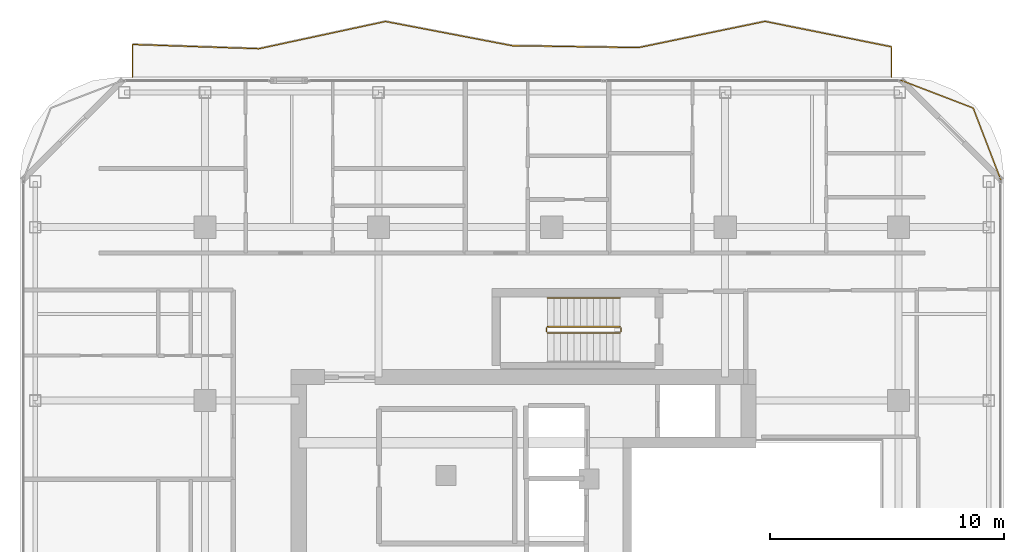
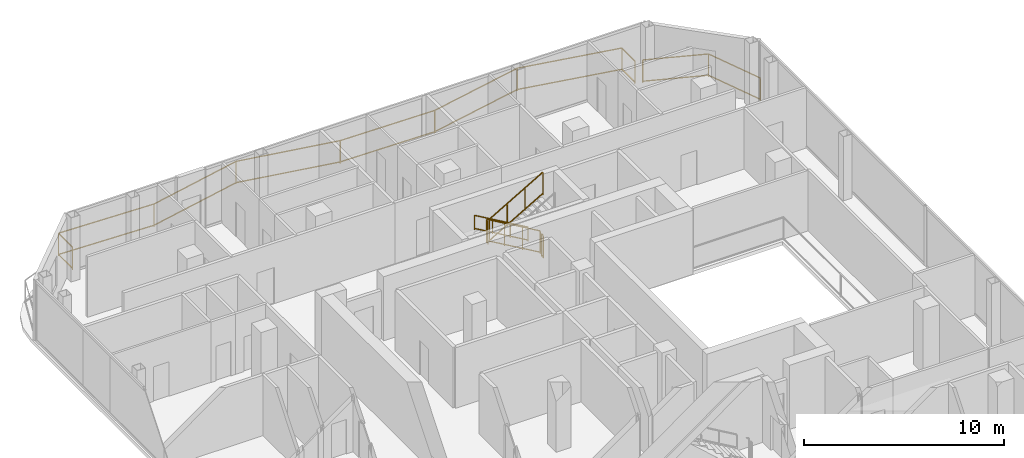
# One storey, part 23 of 23: 7 railings.
"""IFC4 building model written with IfcOpenShell, lengths in metres."""

import ifcopenshell
import ifcopenshell.guid

model = None  # the IFC model being written
_history = None  # IfcOwnerHistory: only IFC2X3 demands one
_inside = {}  # id of a spatial element -> (the spatial element, [elements in it])
_under = {}  # id of a project, library or spatial element -> (it, [spatial elements below it])
_declared = {}  # id of a project -> (the project, [libraries it declares])
_typed = {}  # id of a type object -> (the type object, [elements of that type])
_made_of = {}  # id of a material, layer set ... -> (it, [elements and type objects made of it])


def new_model(schema):
    """Start an empty IFC model of exactly this schema.

    Asked for "IFC4X3", IfcOpenShell would pick the latest addendum, in which some entities
    have other attributes; the version numbers below select the first issue.
    IFC2X3 requires an IfcOwnerHistory on every rooted entity: one is made here for all.
    """
    global model, _history
    if schema == "IFC4X3":
        model = ifcopenshell.file(schema_version=(4, 3, 0, 0))
    else:
        model = ifcopenshell.file(schema=schema)
    _inside.clear()
    _under.clear()
    _declared.clear()
    _typed.clear()
    _made_of.clear()
    _history = None
    if model.schema == "IFC2X3":
        org = make("IfcOrganization", Name="unknown")
        user = make(
            "IfcPersonAndOrganization",
            ThePerson=make("IfcPerson", FamilyName="unknown"),
            TheOrganization=org,
        )
        app = make(
            "IfcApplication",
            ApplicationDeveloper=org,
            Version="unknown",
            ApplicationFullName="unknown",
            ApplicationIdentifier="unknown",
        )
        _history = make(
            "IfcOwnerHistory",
            OwningUser=user,
            OwningApplication=app,
            ChangeAction="ADDED",
            CreationDate=0,
        )
    return model


def make(cls, **values):
    """One entity of the class cls with the attributes given. An attribute that is None is left unset."""
    return model.create_entity(
        cls, **{name: value for name, value in values.items() if value is not None}
    )


def rooted(cls, **values):
    """An entity with a GlobalId (a new one), such as an element, a storey or a relation."""
    return make(cls, GlobalId=ifcopenshell.guid.new(), OwnerHistory=_history, **values)


def si_unit(unit_type, name, prefix=None):
    """IfcSIUnit, for example si_unit("LENGTHUNIT", "METRE", prefix="MILLI")."""
    return make("IfcSIUnit", UnitType=unit_type, Prefix=prefix, Name=name)


def assignment(units):
    """IfcUnitAssignment: the units of a project."""
    return None if units is None else make("IfcUnitAssignment", Units=units)


def point(xyz):
    """IfcCartesianPoint."""
    return None if xyz is None else make("IfcCartesianPoint", Coordinates=xyz)


def direction(xyz):
    """IfcDirection."""
    return None if xyz is None else make("IfcDirection", DirectionRatios=xyz)


def frame(location, z_axis=None, x_axis=None):
    """IfcAxis2Placement3D, a coordinate frame: its origin and axes. An axis left out is left unset."""
    return make(
        "IfcAxis2Placement3D",
        Location=point(location),
        Axis=direction(z_axis),
        RefDirection=direction(x_axis),
    )


def frame_2d(location, x_axis=None):
    """IfcAxis2Placement2D, a coordinate frame in the plane: its origin and x axis."""
    return make(
        "IfcAxis2Placement2D", Location=point(location), RefDirection=direction(x_axis)
    )


def origin():
    """The frame at (0, 0, 0) with its axes left unset."""
    return frame((0.0, 0.0, 0.0))


def origin_2d():
    """The frame at (0, 0) in the plane with its x axis left unset."""
    return frame_2d((0.0, 0.0))


def place(relative_to, where):
    """IfcLocalPlacement: puts the frame where relative to a parent placement (None: the world)."""
    return make(
        "IfcLocalPlacement", PlacementRelTo=relative_to, RelativePlacement=where
    )


def context(
    kind, dimensions, precision=None, world=None, true_north=None, identifier=None
):
    """IfcGeometricRepresentationContext, for example the 3D "Model" context."""
    return make(
        "IfcGeometricRepresentationContext",
        ContextIdentifier=identifier,
        ContextType=kind,
        CoordinateSpaceDimension=dimensions,
        Precision=precision,
        WorldCoordinateSystem=world,
        TrueNorth=true_north,
    )


def subcontext(parent, identifier, kind, view, scale=None):
    """IfcGeometricRepresentationSubContext, for example "Body" below "Model"."""
    return make(
        "IfcGeometricRepresentationSubContext",
        ContextIdentifier=identifier,
        ContextType=kind,
        ParentContext=parent,
        TargetScale=scale,
        TargetView=view,
    )


def project(units=None, contexts=None):
    """IfcProject with its units and contexts."""
    return rooted(
        "IfcProject",
        Name="project",
        RepresentationContexts=contexts,
        UnitsInContext=assignment(units),
    )


def spatial(cls, under=None, at=None, **own):
    """A site, building, storey or space (cls), placed at a placement, below another one or the project."""
    s = rooted(cls, ObjectPlacement=at, **own)
    if under is not None:
        _under.setdefault(under.id(), (under, []))[1].append(s)
    return s


def profile(cls, at=None, kind="AREA", **sizes):
    """A parametric profile (cls). Its sizes go by their IFC names, for example OverallWidth=200.0."""
    return make(cls, ProfileType=kind, Position=at, **sizes)


def rectangle(**sizes):
    """IfcRectangleProfileDef."""
    return profile("IfcRectangleProfileDef", **sizes)


def extrude(swept, where, along, depth):
    """IfcExtrudedAreaSolid: the profile swept, set in the frame where, extruded along a direction by depth."""
    return make(
        "IfcExtrudedAreaSolid",
        SweptArea=swept,
        Position=where,
        ExtrudedDirection=direction(along),
        Depth=depth,
    )


def shape(context_of_items, identifier, shape_type, items):
    """IfcShapeRepresentation: the items that make up one representation, for example the "Body"."""
    return make(
        "IfcShapeRepresentation",
        ContextOfItems=context_of_items,
        RepresentationIdentifier=identifier,
        RepresentationType=shape_type,
        Items=items,
    )


def material(Name=None, Category=None):
    """IfcMaterial."""
    return make("IfcMaterial", Name=Name, Category=Category)


def made_of(thing, what):
    """Note that an element or type object is made of a material, layer set ...; save() writes the relation."""
    if what is not None:
        _made_of.setdefault(what.id(), (what, []))[1].append(thing)
    return thing


def type_object(cls, material=None, **own):
    """A type object (cls), such as IfcWallType, which elements share."""
    return made_of(rooted(cls, **own), material)


def element(
    cls,
    number,
    at=None,
    inside=None,
    cuts=None,
    type_object=None,
    material=None,
    context=None,
    identifier="Body",
    shape_type=None,
    held_by="IfcProductDefinitionShape",
    body=None,
    shapes=None,
    **own,
):
    """One element of the class cls, such as IfcWall. Its Tag is "e" and its number.

    at: its placement. inside: the storey or other place that contains it. cuts: it is an
    opening in that element (IfcRelVoidsElement). A single representation is given by context,
    identifier, shape_type and body (its items); several are given by shapes. held_by: the class
    of the entity that holds the representations. save() writes the other relations.
    """
    e = rooted(cls, Tag="e%d" % number, ObjectPlacement=at, **own)
    if body is not None:
        shapes = [shape(context, identifier, shape_type, body)]
    if shapes is not None:
        e.Representation = make(held_by, Representations=shapes)
    if inside is not None:
        _inside.setdefault(inside.id(), (inside, []))[1].append(e)
    if cuts is not None:
        rooted(
            "IfcRelVoidsElement", RelatingBuildingElement=cuts, RelatedOpeningElement=e
        )
    if type_object is not None:
        _typed.setdefault(type_object.id(), (type_object, []))[1].append(e)
    return made_of(e, material)


def aggregate(whole, parts):
    """IfcRelAggregates: a whole, such as a stair, and the parts it consists of."""
    return rooted("IfcRelAggregates", RelatingObject=whole, RelatedObjects=parts)


def save(model, path):
    """Write the relations noted so far, then the file.

    IfcRelAggregates (storeys below a building ...), IfcRelContainedInSpatialStructure (elements
    in a storey), IfcRelDefinesByType, IfcRelAssociatesMaterial and IfcRelDeclares: one each for
    every whole, place, type object, material and project.
    """
    for whole, parts in _under.values():
        aggregate(whole, parts)
    for where, things in _inside.values():
        rooted(
            "IfcRelContainedInSpatialStructure",
            RelatedElements=things,
            RelatingStructure=where,
        )
    for kind, things in _typed.values():
        rooted("IfcRelDefinesByType", RelatedObjects=things, RelatingType=kind)
    for what, things in _made_of.values():
        rooted("IfcRelAssociatesMaterial", RelatedObjects=things, RelatingMaterial=what)
    for by, libraries in _declared.values():
        rooted("IfcRelDeclares", RelatingContext=by, RelatedDefinitions=libraries)
    model.write(path)


model = new_model("IFC4")

# Units and contexts
model_context = context("Model", 3, precision=1e-05, world=origin(), true_north=direction((0.0, 1.0)))
body_context = subcontext(model_context, "Body", "Model", "MODEL_VIEW")
ifc_project = project(units=[si_unit("LENGTHUNIT", "METRE"), si_unit("AREAUNIT", "SQUARE_METRE"), si_unit("VOLUMEUNIT", "CUBIC_METRE"), si_unit("PLANEANGLEUNIT", "RADIAN"), si_unit("MASSUNIT", "GRAM", prefix="KILO")], contexts=[model_context])

# Site, building, storey
site_placement = place(None, origin())
site = spatial("IfcSite", under=ifc_project, at=site_placement, CompositionType="ELEMENT")
building_placement = place(site_placement, origin())
building = spatial("IfcBuilding", under=site, at=building_placement, Name="Khorvyn Point Tower", CompositionType="ELEMENT")
storey_placement = place(building_placement, frame((0.0, 0.0, 297.60009765625)))
storey = spatial("IfcBuildingStorey", under=building, at=storey_placement, Name="L73", CompositionType="ELEMENT", Elevation=297.60009765625)

# Railings
ifc_material_1 = material(Name="Anodised aluminium 6063-T6 and laminated safety glass", Category="aluminium")
railing_type_1 = type_object("IfcRailingType", Name="Laminated Glass and Aluminium Balcony Guardrail 1400", PredefinedType="BALUSTRADE", material=ifc_material_1)
railing_1_placement = place(storey_placement, frame((19.17431640625, 16.78662109375, 0.0)))
element("IfcRailing", 1, at=railing_1_placement, inside=storey, type_object=railing_type_1, Name="L73 Rounded Corner Edge Guardrail NE", PredefinedType="BALUSTRADE", context=body_context, shape_type="SweptSolid", body=[
    extrude(rectangle(XDim=0.048095703125, YDim=0.048095703125, at=origin_2d()), frame((0.0, 0.0, 1.3759765625), z_axis=(-0.358328295484, 0.933595647299, 0.0), x_axis=(-0.933595647299, -0.358328295484, 0.0)), (0.0, 0.0, 1.0), 3.31884765625),
    extrude(rectangle(XDim=0.048095703125, YDim=0.048095703125, at=origin_2d()), frame((0.0, 0.0, 0.080078125), z_axis=(-0.358328295484, 0.933595647299, 0.0), x_axis=(-0.933595647299, -0.358328295484, 0.0)), (0.0, 0.0, 1.0), 3.31884765625),
    extrude(rectangle(XDim=0.048095703125, YDim=0.048095703125, at=origin_2d()), frame((-1.189208984375, 3.098388671875, 1.3759765625), z_axis=(-0.933580483903, 0.358367799998, 0.0), x_axis=(-0.358367799998, -0.933580483903, 0.0)), (0.0, 0.0, 1.0), 3.319091796875),
    extrude(rectangle(XDim=0.048095703125, YDim=0.048095703125, at=origin_2d()), frame((-1.189208984375, 3.098388671875, 0.080078125), z_axis=(-0.933580483903, 0.358367799998, 0.0), x_axis=(-0.358367799998, -0.933580483903, 0.0)), (0.0, 0.0, 1.0), 3.319091796875),
    extrude(rectangle(XDim=0.0419921875, YDim=0.0419921875, at=origin_2d()), origin(), (0.0, 0.0, 1.0), 1.351806640625),
    extrude(rectangle(XDim=0.0419921875, YDim=0.0419921875, at=origin_2d()), frame((-1.189208984375, 3.098388671875, 0.0)), (0.0, 0.0, 1.0), 1.351806640625),
    extrude(rectangle(XDim=0.0419921875, YDim=0.0419921875, at=origin_2d()), frame((-4.287841796875, 4.287841796875, 0.0)), (0.0, 0.0, 1.0), 1.351806640625),
])
railing_2_placement = place(storey_placement, frame((14.5, 21.199951171875, 0.0)))
element("IfcRailing", 2, at=railing_2_placement, inside=storey, type_object=railing_type_1, Name="L73 North Balcony Guardrail", PredefinedType="BALUSTRADE", context=body_context, shape_type="SweptSolid", body=[
    extrude(rectangle(XDim=0.048095703125, YDim=0.048095703125, at=origin_2d()), frame((0.0, 0.0, 1.3759765625), z_axis=(0.0, 1.0, 0.0), x_axis=(-1.0, 0.0, 0.0)), (0.0, 0.0, 1.0), 1.295166015625),
    extrude(rectangle(XDim=0.048095703125, YDim=0.048095703125, at=origin_2d()), frame((0.0, 0.0, 0.080078125), z_axis=(0.0, 1.0, 0.0), x_axis=(-1.0, 0.0, 0.0)), (0.0, 0.0, 1.0), 1.295166015625),
    extrude(rectangle(XDim=0.048095703125, YDim=0.048095703125, at=origin_2d()), frame((0.0, 1.295166015625, 1.3759765625), z_axis=(-0.980329281504, 0.197368943419, 0.0), x_axis=(-0.197368943419, -0.980329281504, 0.0)), (0.0, 0.0, 1.0), 5.50830078125),
    extrude(rectangle(XDim=0.048095703125, YDim=0.048095703125, at=origin_2d()), frame((0.0, 1.295166015625, 0.080078125), z_axis=(-0.980329281504, 0.197368943419, 0.0), x_axis=(-0.197368943419, -0.980329281504, 0.0)), (0.0, 0.0, 1.0), 5.50830078125),
    extrude(rectangle(XDim=0.048095703125, YDim=0.048095703125, at=origin_2d()), frame((-5.39990234375, 2.38232421875, 1.3759765625), z_axis=(-0.979175531991, -0.203015461355, 0.0), x_axis=(0.203015461355, -0.979175531991, 0.0)), (0.0, 0.0, 1.0), 5.514892578125),
    extrude(rectangle(XDim=0.048095703125, YDim=0.048095703125, at=origin_2d()), frame((-5.39990234375, 2.38232421875, 0.080078125), z_axis=(-0.979175531991, -0.203015461355, 0.0), x_axis=(0.203015461355, -0.979175531991, 0.0)), (0.0, 0.0, 1.0), 5.514892578125),
    extrude(rectangle(XDim=0.048095703125, YDim=0.048095703125, at=origin_2d()), frame((-10.800048828125, 1.2626953125, 1.3759765625), z_axis=(-0.999882564018, 0.015325083154, 0.0), x_axis=(-0.015325083154, -0.999882564018, 0.0)), (0.0, 0.0, 1.0), 5.400634765625),
    extrude(rectangle(XDim=0.048095703125, YDim=0.048095703125, at=origin_2d()), frame((-10.800048828125, 1.2626953125, 0.080078125), z_axis=(-0.999882564018, 0.015325083154, 0.0), x_axis=(-0.015325083154, -0.999882564018, 0.0)), (0.0, 0.0, 1.0), 5.400634765625),
    extrude(rectangle(XDim=0.048095703125, YDim=0.048095703125, at=origin_2d()), frame((-16.199951171875, 1.345458984375, 1.3759765625), z_axis=(-0.982184324224, 0.187920071437, 0.0), x_axis=(-0.187920071437, -0.982184324224, 0.0)), (0.0, 0.0, 1.0), 5.498046875),
    extrude(rectangle(XDim=0.048095703125, YDim=0.048095703125, at=origin_2d()), frame((-16.199951171875, 1.345458984375, 0.080078125), z_axis=(-0.982184324224, 0.187920071437, 0.0), x_axis=(-0.187920071437, -0.982184324224, 0.0)), (0.0, 0.0, 1.0), 5.498046875),
    extrude(rectangle(XDim=0.048095703125, YDim=0.048095703125, at=origin_2d()), frame((-21.60009765625, 2.378662109375, 1.3759765625), z_axis=(-0.977598853803, -0.210476794548, 0.0), x_axis=(0.210476794548, -0.977598853803, 0.0)), (0.0, 0.0, 1.0), 5.523681640625),
    extrude(rectangle(XDim=0.048095703125, YDim=0.048095703125, at=origin_2d()), frame((-21.60009765625, 2.378662109375, 0.080078125), z_axis=(-0.977598853803, -0.210476794548, 0.0), x_axis=(0.210476794548, -0.977598853803, 0.0)), (0.0, 0.0, 1.0), 5.523681640625),
    extrude(rectangle(XDim=0.048095703125, YDim=0.048095703125, at=origin_2d()), frame((-27.0, 1.216064453125, 1.3759765625), z_axis=(-0.999434730171, 0.033618746688, 0.0), x_axis=(-0.033618746688, -0.999434730171, 0.0)), (0.0, 0.0, 1.0), 5.403076171875),
    extrude(rectangle(XDim=0.048095703125, YDim=0.048095703125, at=origin_2d()), frame((-27.0, 1.216064453125, 0.080078125), z_axis=(-0.999434730171, 0.033618746688, 0.0), x_axis=(-0.033618746688, -0.999434730171, 0.0)), (0.0, 0.0, 1.0), 5.403076171875),
    extrude(rectangle(XDim=0.048095703125, YDim=0.048095703125, at=origin_2d()), frame((-32.39990234375, 1.397705078125, 1.3759765625), z_axis=(0.0, -1.0, 0.0), x_axis=(1.0, 0.0, 0.0)), (0.0, 0.0, 1.0), 1.397705078125),
    extrude(rectangle(XDim=0.048095703125, YDim=0.048095703125, at=origin_2d()), frame((-32.39990234375, 1.397705078125, 0.080078125), z_axis=(0.0, -1.0, 0.0), x_axis=(1.0, 0.0, 0.0)), (0.0, 0.0, 1.0), 1.397705078125),
    extrude(rectangle(XDim=0.0419921875, YDim=0.0419921875, at=origin_2d()), origin(), (0.0, 0.0, 1.0), 1.351806640625),
    extrude(rectangle(XDim=0.0419921875, YDim=0.0419921875, at=origin_2d()), frame((0.0, 1.295166015625, 0.0)), (0.0, 0.0, 1.0), 1.351806640625),
    extrude(rectangle(XDim=0.0419921875, YDim=0.0419921875, at=origin_2d()), frame((-5.39990234375, 2.38232421875, 0.0)), (0.0, 0.0, 1.0), 1.351806640625),
    extrude(rectangle(XDim=0.0419921875, YDim=0.0419921875, at=origin_2d()), frame((-10.800048828125, 1.2626953125, 0.0)), (0.0, 0.0, 1.0), 1.351806640625),
    extrude(rectangle(XDim=0.0419921875, YDim=0.0419921875, at=origin_2d()), frame((-16.199951171875, 1.345458984375, 0.0)), (0.0, 0.0, 1.0), 1.351806640625),
    extrude(rectangle(XDim=0.0419921875, YDim=0.0419921875, at=origin_2d()), frame((-21.60009765625, 2.378662109375, 0.0)), (0.0, 0.0, 1.0), 1.351806640625),
    extrude(rectangle(XDim=0.0419921875, YDim=0.0419921875, at=origin_2d()), frame((-27.0, 1.216064453125, 0.0)), (0.0, 0.0, 1.0), 1.351806640625),
    extrude(rectangle(XDim=0.0419921875, YDim=0.0419921875, at=origin_2d()), frame((-32.39990234375, 1.397705078125, 0.0)), (0.0, 0.0, 1.0), 1.351806640625),
    extrude(rectangle(XDim=0.0419921875, YDim=0.0419921875, at=origin_2d()), frame((-32.39990234375, 0.0, 0.0)), (0.0, 0.0, 1.0), 1.351806640625),
])
ifc_material_2 = material(Name="Stainless steel 1.4301", Category="steel")
railing_type_2 = type_object("IfcRailingType", Name="Stainless Steel 304 Stair Pitch Handrail 900", PredefinedType="HANDRAIL", material=ifc_material_2)
railing_3_placement = place(storey_placement, frame((2.89990234375, 11.77001953125, 0.162353515625)))
element("IfcRailing", 3, at=railing_3_placement, inside=storey, type_object=railing_type_2, Name="L73 ST-02 stair handrail 1", PredefinedType="HANDRAIL", context=body_context, shape_type="SweptSolid", body=[
    extrude(rectangle(XDim=0.048095703125, YDim=0.048095703125, at=origin_2d()), frame((0.0, 0.0, 0.8759765625), z_axis=(-0.864873446163, 0.0, 0.501989962173), x_axis=(0.0, -1.0, 0.0)), (0.0, 0.0, 1.0), 3.56103515625),
    extrude(rectangle(XDim=0.048095703125, YDim=0.048095703125, at=origin_2d()), frame((0.0, 0.0, 0.080078125), z_axis=(-0.864873446163, 0.0, 0.501989962173), x_axis=(0.0, -1.0, 0.0)), (0.0, 0.0, 1.0), 3.56103515625),
    extrude(rectangle(XDim=0.0419921875, YDim=0.0419921875, at=origin_2d()), origin(), (0.0, 0.0, 1.0), 0.851806640625),
    extrude(rectangle(XDim=0.0419921875, YDim=0.0419921875, at=origin_2d()), frame((-1.026611328125, 0.0, 0.595947265625)), (0.0, 0.0, 1.0), 0.851806640625),
    extrude(rectangle(XDim=0.0419921875, YDim=0.0419921875, at=origin_2d()), frame((-2.05322265625, 0.0, 1.191650390625)), (0.0, 0.0, 1.0), 0.851806640625),
    extrude(rectangle(XDim=0.0419921875, YDim=0.0419921875, at=origin_2d()), frame((-3.079833984375, 0.0, 1.78759765625)), (0.0, 0.0, 1.0), 0.851806640625),
])
railing_type_3 = type_object("IfcRailingType", Name="Stainless Steel 304 Stair Well Guardrail 1400", PredefinedType="GUARDRAIL", material=ifc_material_2)
railing_4_placement = place(storey_placement, frame((2.89990234375, 10.550048828125, 0.162353515625)))
element("IfcRailing", 4, at=railing_4_placement, inside=storey, type_object=railing_type_3, Name="L73 ST-02 stair guard 1", PredefinedType="GUARDRAIL", context=body_context, shape_type="SweptSolid", body=[
    extrude(rectangle(XDim=0.048095703125, YDim=0.048095703125, at=origin_2d()), frame((0.0, 0.0, 1.3759765625), z_axis=(-0.864873446163, 0.0, 0.501989962173), x_axis=(0.0, -1.0, 0.0)), (0.0, 0.0, 1.0), 3.56103515625),
    extrude(rectangle(XDim=0.048095703125, YDim=0.048095703125, at=origin_2d()), frame((0.0, 0.0, 0.080078125), z_axis=(-0.864873446163, 0.0, 0.501989962173), x_axis=(0.0, -1.0, 0.0)), (0.0, 0.0, 1.0), 3.56103515625),
    extrude(rectangle(XDim=0.0419921875, YDim=0.0419921875, at=origin_2d()), origin(), (0.0, 0.0, 1.0), 1.351806640625),
    extrude(rectangle(XDim=0.0419921875, YDim=0.0419921875, at=origin_2d()), frame((-1.026611328125, 0.0, 0.595947265625)), (0.0, 0.0, 1.0), 1.351806640625),
    extrude(rectangle(XDim=0.0419921875, YDim=0.0419921875, at=origin_2d()), frame((-2.05322265625, 0.0, 1.191650390625)), (0.0, 0.0, 1.0), 1.351806640625),
    extrude(rectangle(XDim=0.0419921875, YDim=0.0419921875, at=origin_2d()), frame((-3.079833984375, 0.0, 1.78759765625)), (0.0, 0.0, 1.0), 1.351806640625),
])
railing_5_placement = place(storey_placement, frame((-0.22998046875, 10.5, 1.949951171875)))
element("IfcRailing", 5, at=railing_5_placement, inside=storey, type_object=railing_type_3, Name="L73 ST-02 stair guard 2", PredefinedType="GUARDRAIL", context=body_context, shape_type="SweptSolid", body=[
    extrude(rectangle(XDim=0.048095703125, YDim=0.048095703125, at=origin_2d()), frame((0.0, 0.0, 1.3759765625), z_axis=(0.0, -1.0, 0.0), x_axis=(1.0, 0.0, 0.0)), (0.0, 0.0, 1.0), 0.159912109375),
    extrude(rectangle(XDim=0.048095703125, YDim=0.048095703125, at=origin_2d()), frame((0.0, 0.0, 0.080078125), z_axis=(0.0, -1.0, 0.0), x_axis=(1.0, 0.0, 0.0)), (0.0, 0.0, 1.0), 0.159912109375),
    extrude(rectangle(XDim=0.0419921875, YDim=0.0419921875, at=origin_2d()), origin(), (0.0, 0.0, 1.0), 1.351806640625),
    extrude(rectangle(XDim=0.0419921875, YDim=0.0419921875, at=origin_2d()), frame((0.0, -0.159912109375, 0.0)), (0.0, 0.0, 1.0), 1.351806640625),
])
railing_6_placement = place(storey_placement, frame((-0.179931640625, 10.2900390625, 2.1123046875)))
element("IfcRailing", 6, at=railing_6_placement, inside=storey, type_object=railing_type_3, Name="L73 ST-02 stair guard 3", PredefinedType="GUARDRAIL", context=body_context, shape_type="SweptSolid", body=[
    extrude(rectangle(XDim=0.048095703125, YDim=0.048095703125, at=origin_2d()), frame((0.0, 0.0, 1.3759765625), z_axis=(0.864873446163, 0.0, 0.501989962173), x_axis=(0.0, 1.0, 0.0)), (0.0, 0.0, 1.0), 3.56103515625),
    extrude(rectangle(XDim=0.048095703125, YDim=0.048095703125, at=origin_2d()), frame((0.0, 0.0, 0.080078125), z_axis=(0.864873446163, 0.0, 0.501989962173), x_axis=(0.0, 1.0, 0.0)), (0.0, 0.0, 1.0), 3.56103515625),
    extrude(rectangle(XDim=0.0419921875, YDim=0.0419921875, at=origin_2d()), origin(), (0.0, 0.0, 1.0), 1.351806640625),
    extrude(rectangle(XDim=0.0419921875, YDim=0.0419921875, at=origin_2d()), frame((1.026611328125, 0.0, 0.595947265625)), (0.0, 0.0, 1.0), 1.351806640625),
    extrude(rectangle(XDim=0.0419921875, YDim=0.0419921875, at=origin_2d()), frame((2.05322265625, 0.0, 1.191650390625)), (0.0, 0.0, 1.0), 1.351806640625),
    extrude(rectangle(XDim=0.0419921875, YDim=0.0419921875, at=origin_2d()), frame((3.079833984375, 0.0, 1.78759765625)), (0.0, 0.0, 1.0), 1.351806640625),
])
railing_7_placement = place(storey_placement, frame((2.949951171875, 10.5, 0.0)))
element("IfcRailing", 7, at=railing_7_placement, inside=storey, type_object=railing_type_3, Name="L73 ST-02 stair guard 4", PredefinedType="GUARDRAIL", context=body_context, shape_type="SweptSolid", body=[
    extrude(rectangle(XDim=0.048095703125, YDim=0.048095703125, at=origin_2d()), frame((0.0, 0.0, 1.3759765625), z_axis=(0.0, -1.0, 0.0), x_axis=(1.0, 0.0, 0.0)), (0.0, 0.0, 1.0), 0.159912109375),
    extrude(rectangle(XDim=0.048095703125, YDim=0.048095703125, at=origin_2d()), frame((0.0, 0.0, 0.080078125), z_axis=(0.0, -1.0, 0.0), x_axis=(1.0, 0.0, 0.0)), (0.0, 0.0, 1.0), 0.159912109375),
    extrude(rectangle(XDim=0.0419921875, YDim=0.0419921875, at=origin_2d()), origin(), (0.0, 0.0, 1.0), 1.351806640625),
    extrude(rectangle(XDim=0.0419921875, YDim=0.0419921875, at=origin_2d()), frame((0.0, -0.159912109375, 0.0)), (0.0, 0.0, 1.0), 1.351806640625),
])

save(model, "model.ifc")
